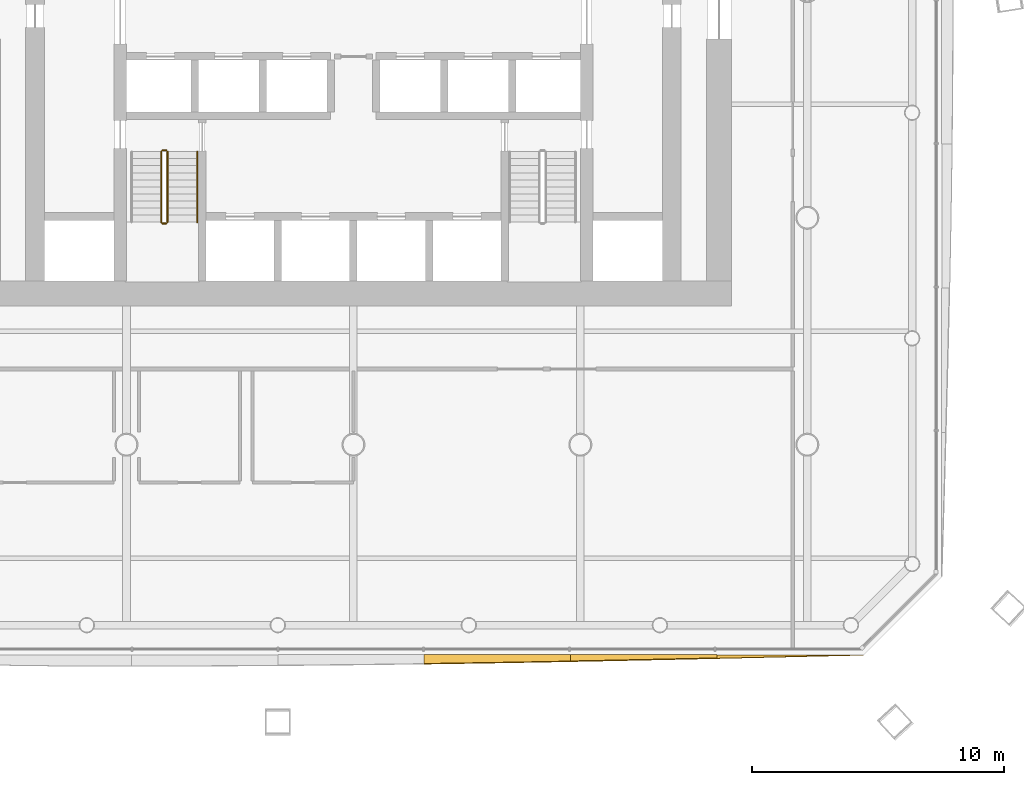
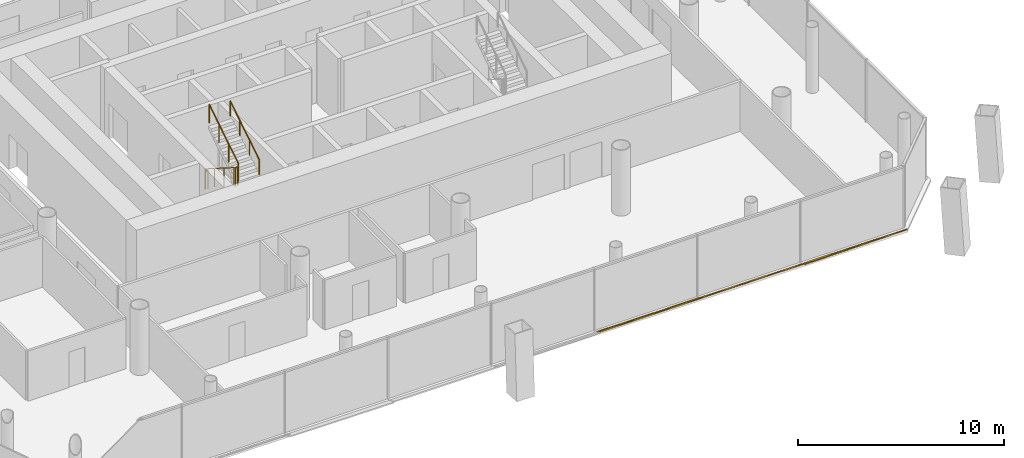
# One storey, part 17 of 20: 5 railings, 3 shading devices.
"""IFC4 building model written with IfcOpenShell, lengths in metres."""

from ifc_helpers import new_model, si_unit, direction, frame, origin, origin_2d, place, context, subcontext, project, spatial, polyline, circle, outline, extrude, material, layer, layer_set, type_object, element, save


model = new_model("IFC4")

# Units and contexts
model_context = context("Model", 3, precision=1e-05, world=origin(), true_north=direction((0.0, 1.0)))
body_context = subcontext(model_context, "Body", "Model", "MODEL_VIEW")
ifc_project = project(units=[si_unit("LENGTHUNIT", "METRE"), si_unit("AREAUNIT", "SQUARE_METRE"), si_unit("VOLUMEUNIT", "CUBIC_METRE"), si_unit("PLANEANGLEUNIT", "RADIAN"), si_unit("MASSUNIT", "GRAM", prefix="KILO")], contexts=[model_context])

# Site, building, storey
site_placement = place(None, origin())
site = spatial("IfcSite", under=ifc_project, at=site_placement, CompositionType="ELEMENT")
building_placement = place(site_placement, origin())
building = spatial("IfcBuilding", under=site, at=building_placement, Name="Tskaro Facet Tower", CompositionType="ELEMENT")
storey_placement = place(building_placement, frame((0.0, 0.0, 49.800048828125)))
storey = spatial("IfcBuildingStorey", under=building, at=storey_placement, Name="L11", CompositionType="ELEMENT", Elevation=49.800048828125)

# Shading devices
ifc_material_1 = material(Name="Bronze anodised aluminium 6063-T6", Category="aluminium")
ifc_layer = layer(ifc_material_1, 0.06005859375, Name="Bronze anodised aluminium 6063-T6")
ifc_layer_set = layer_set([ifc_layer], Name="Bronze anodised aluminium 6063-T6")
shading_device_type = type_object("IfcShadingDeviceType", Name="Bronze sun blade (FN1)", PredefinedType="USERDEFINED", material=ifc_layer_set)
shading_device_1_placement = place(storey_placement, frame((2.806396484375, -26.322509765625, 0.049072265625), z_axis=(1.7100278e-05, 0.573506017345, 0.819201347519), x_axis=(0.999999999854, -9.807112e-06, -1.4008571e-05)))
element("IfcShadingDevice", 1, at=shading_device_1_placement, inside=storey, type_object=shading_device_type, Name="Fin blade south 6", ObjectType="FIN", PredefinedType="USERDEFINED", context=body_context, shape_type="SweptSolid", body=[
    extrude(outline(polyline([(0.0, 0.0), (5.8066406241510125, 0.0), (5.806640625462019, -0.31257217540665727), (5.080810544722308, -0.32937283853285737), (4.354980468428404, -0.3456934690949715), (3.629150390765932, -0.3614740828815226), (2.9033203117348925, -0.3767146798925107), (2.1774902347553464, -0.3912752440103994), (1.4516601553814859, -0.4056358077992749), (0.7258300790848653, -0.4189763222485013), (-2.000384333694408e-09, -0.431916836039701), (0.0, 0.0)])), origin(), (0.0, 0.0, -1.0), 0.06005859375),
])
shading_device_2_placement = place(storey_placement, frame((8.613037109375, -26.318359375, 0.0458984375), z_axis=(7.39334e-07, 0.642751739975, 0.766074539949), x_axis=(1.0, -4.75208e-07, -5.66385e-07)))
element("IfcShadingDevice", 2, at=shading_device_2_placement, inside=storey, type_object=shading_device_type, Name="Fin blade south 7", ObjectType="FIN", PredefinedType="USERDEFINED", context=body_context, shape_type="SweptSolid", body=[
    extrude(outline(polyline([(0.0, 0.0), (5.806396484373414, 0.0), (5.806396484414887, -0.17555136117693415), (5.080566406341982, -0.19652603533106094), (4.35473632815306, -0.21731367956820802), (3.628906249986398, -0.23775737207685782), (2.9033203124669953, -0.25785711285701035), (2.1774902343448526, -0.2776129019086656), (1.45166015624497, -0.29702473923182365), (0.7258300780513299, -0.31590559490950465), (1.8227041936889205e-11, -0.3342855770471709), (0.0, 0.0)])), origin(), (0.0, 0.0, -1.0), 0.06005859375),
])
shading_device_3_placement = place(storey_placement, frame((14.41943359375, -26.33642578125, 0.056396484375), z_axis=(9.047134e-06, 0.341402942493, 0.939917033985), x_axis=(0.999999999959, -3.088718e-06, -8.503556e-06)))
element("IfcShadingDevice", 3, at=shading_device_3_placement, inside=storey, type_object=shading_device_type, Name="Fin blade south 8", ObjectType="FIN", PredefinedType="USERDEFINED", context=body_context, shape_type="SweptSolid", body=[
    extrude(outline(polyline([(0.0, 0.0), (5.806640624762362, -2.4592079611201513e-21), (5.080810547551195, -0.018146793443437767), (4.354980468263963, -0.03637693721463602), (3.629150390298715, -0.05429425872593914), (2.9033203130875473, -0.07244105216937691), (2.177490234368217, -0.09012890174854536), (1.451660156402968, -0.10804622325984847), (0.7258300769295561, -0.1255046009068823), (-4.677925582476397e-10, -0.14287962822615563), (0.0, 0.0)])), origin(), (0.0, 0.0, -1.0), 0.06005859375),
])

# Railings
ifc_material_2 = material(Name="Stainless steel", Category="steel")
railing_type_1 = type_object("IfcRailingType", Name="RL-GUARD-1100", PredefinedType="GUARDRAIL", material=ifc_material_2)
railing_1_placement = place(storey_placement, frame((-7.625, -6.375, 0.17724609375)))
element("IfcRailing", 4, at=railing_1_placement, inside=storey, type_object=railing_type_1, Name="L11 ST-1 stair guard 1", PredefinedType="GUARDRAIL", context=body_context, shape_type="SweptSolid", body=[
    extrude(circle(Radius=0.02392578125, at=origin_2d()), frame((0.0, 0.0, 1.076171875), z_axis=(0.0, -0.844908973607, 0.534910110503), x_axis=(1.0, 0.0, 0.0)), (0.0, 0.0, 1.0), 3.31396484375),
    extrude(circle(Radius=0.02099609375, at=origin_2d()), origin(), (0.0, 0.0, 1.0), 1.052001953125),
    extrude(circle(Radius=0.02099609375, at=origin_2d()), frame((0.0, -0.933349609375, 0.5908203125)), (0.0, 0.0, 1.0), 1.052001953125),
    extrude(circle(Radius=0.02099609375, at=origin_2d()), frame((0.0, -1.86669921875, 1.181884765625)), (0.0, 0.0, 1.0), 1.052001953125),
    extrude(circle(Radius=0.02099609375, at=origin_2d()), frame((0.0, -2.800048828125, 1.772705078125)), (0.0, 0.0, 1.0), 1.052001953125),
])
railing_2_placement = place(storey_placement, frame((-7.574951171875, -9.22509765625, 1.949951171875)))
element("IfcRailing", 5, at=railing_2_placement, inside=storey, type_object=railing_type_1, Name="L11 ST-1 stair guard 2", PredefinedType="GUARDRAIL", context=body_context, shape_type="SweptSolid", body=[
    extrude(circle(Radius=0.02392578125, at=origin_2d()), frame((0.0, 0.0, 1.076171875), z_axis=(1.0, 0.0, 0.0), x_axis=(0.0, 1.0, 0.0)), (0.0, 0.0, 1.0), 0.14990234375),
    extrude(circle(Radius=0.02099609375, at=origin_2d()), origin(), (0.0, 0.0, 1.0), 1.052001953125),
    extrude(circle(Radius=0.02099609375, at=origin_2d()), frame((0.14990234375, 0.0, 0.0)), (0.0, 0.0, 1.0), 1.052001953125),
])
railing_3_placement = place(storey_placement, frame((-7.375, -9.175048828125, 2.127197265625)))
element("IfcRailing", 6, at=railing_3_placement, inside=storey, type_object=railing_type_1, Name="L11 ST-1 stair guard 3", PredefinedType="GUARDRAIL", context=body_context, shape_type="SweptSolid", body=[
    extrude(circle(Radius=0.02392578125, at=origin_2d()), frame((0.0, 0.0, 1.076171875), z_axis=(0.0, 0.844908973607, 0.534910110503), x_axis=(-1.0, 0.0, 0.0)), (0.0, 0.0, 1.0), 3.31396484375),
    extrude(circle(Radius=0.02099609375, at=origin_2d()), origin(), (0.0, 0.0, 1.0), 1.052001953125),
    extrude(circle(Radius=0.02099609375, at=origin_2d()), frame((0.0, 0.933349609375, 0.5908203125)), (0.0, 0.0, 1.0), 1.052001953125),
    extrude(circle(Radius=0.02099609375, at=origin_2d()), frame((0.0, 1.86669921875, 1.181884765625)), (0.0, 0.0, 1.0), 1.052001953125),
    extrude(circle(Radius=0.02099609375, at=origin_2d()), frame((0.0, 2.800048828125, 1.772705078125)), (0.0, 0.0, 1.0), 1.052001953125),
])
railing_4_placement = place(storey_placement, frame((-7.574951171875, -6.324951171875, 0.0)))
element("IfcRailing", 7, at=railing_4_placement, inside=storey, type_object=railing_type_1, Name="L11 ST-1 stair guard 4", PredefinedType="GUARDRAIL", context=body_context, shape_type="SweptSolid", body=[
    extrude(circle(Radius=0.02392578125, at=origin_2d()), frame((0.0, 0.0, 1.076171875), z_axis=(1.0, 0.0, 0.0), x_axis=(0.0, 1.0, 0.0)), (0.0, 0.0, 1.0), 0.14990234375),
    extrude(circle(Radius=0.02099609375, at=origin_2d()), origin(), (0.0, 0.0, 1.0), 1.052001953125),
    extrude(circle(Radius=0.02099609375, at=origin_2d()), frame((0.14990234375, 0.0, 0.0)), (0.0, 0.0, 1.0), 1.052001953125),
])
railing_type_2 = type_object("IfcRailingType", Name="RL-HANDRAIL-900", PredefinedType="HANDRAIL", material=ifc_material_2)
railing_5_placement = place(storey_placement, frame((-6.199951171875, -9.175048828125, 2.127197265625)))
element("IfcRailing", 8, at=railing_5_placement, inside=storey, type_object=railing_type_2, Name="L11 ST-1 stair handrail 2", PredefinedType="HANDRAIL", context=body_context, shape_type="SweptSolid", body=[
    extrude(circle(Radius=0.02392578125, at=origin_2d()), frame((0.0, 0.0, 0.8759765625), z_axis=(0.0, 0.844908973607, 0.534910110503), x_axis=(-1.0, 0.0, 0.0)), (0.0, 0.0, 1.0), 3.31396484375),
    extrude(circle(Radius=0.02099609375, at=origin_2d()), origin(), (0.0, 0.0, 1.0), 0.851806640625),
    extrude(circle(Radius=0.02099609375, at=origin_2d()), frame((0.0, 0.933349609375, 0.5908203125)), (0.0, 0.0, 1.0), 0.851806640625),
    extrude(circle(Radius=0.02099609375, at=origin_2d()), frame((0.0, 1.86669921875, 1.181884765625)), (0.0, 0.0, 1.0), 0.851806640625),
    extrude(circle(Radius=0.02099609375, at=origin_2d()), frame((0.0, 2.800048828125, 1.772705078125)), (0.0, 0.0, 1.0), 0.851806640625),
])

save(model, "model.ifc")
